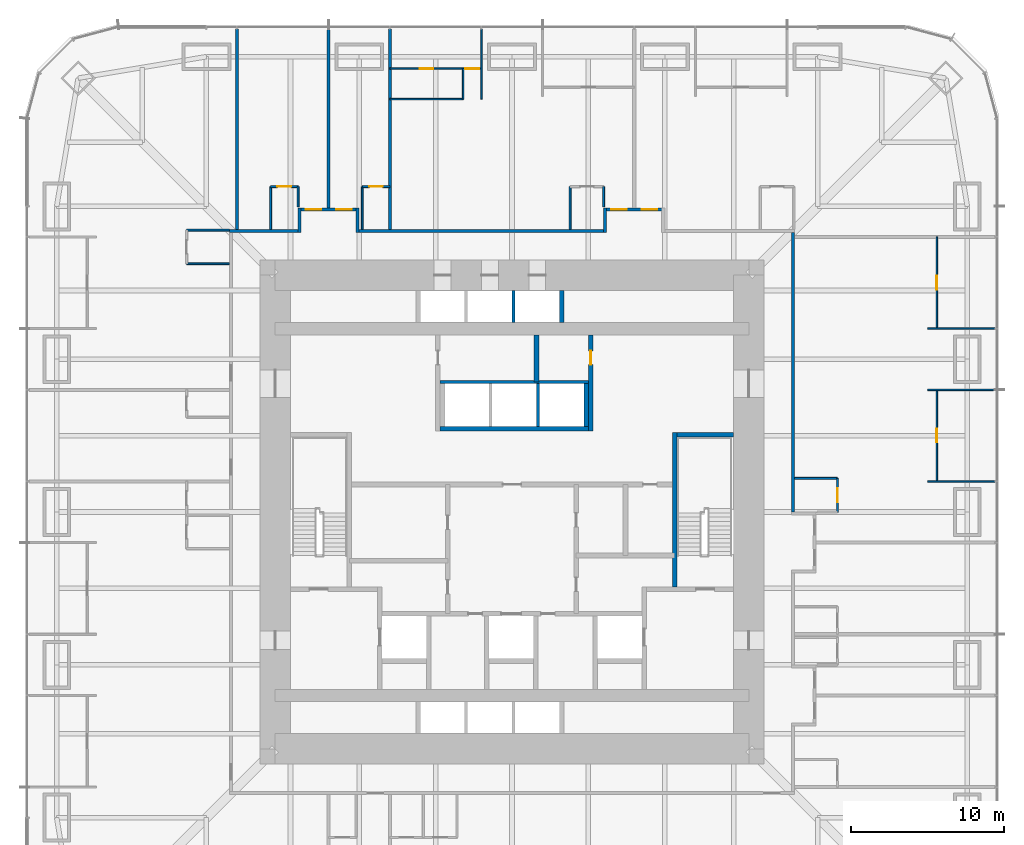
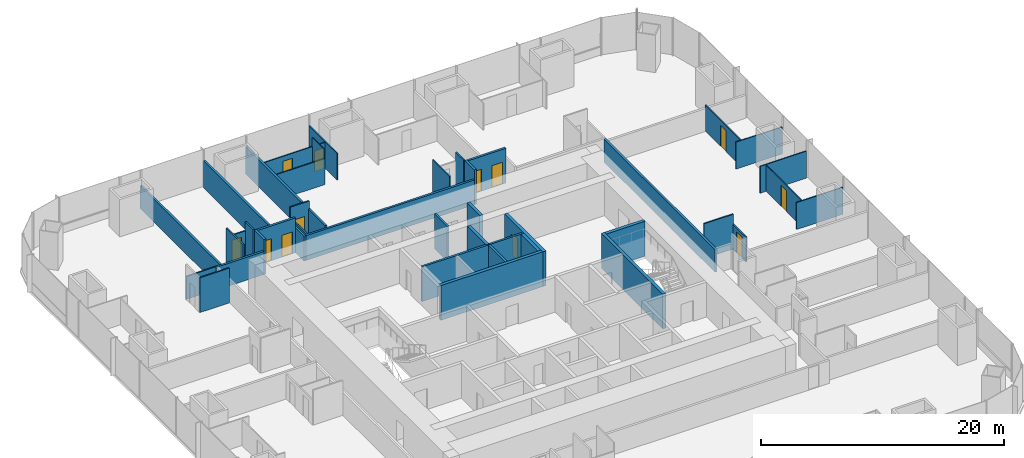
# One storey, part 15 of 17: 41 walls, 12 doors, 12 openings.
"""IFC4 building model written with IfcOpenShell, lengths in metres."""

import ifcopenshell
import ifcopenshell.guid

model = None  # the IFC model being written
_history = None  # IfcOwnerHistory: only IFC2X3 demands one
_inside = {}  # id of a spatial element -> (the spatial element, [elements in it])
_under = {}  # id of a project, library or spatial element -> (it, [spatial elements below it])
_declared = {}  # id of a project -> (the project, [libraries it declares])
_typed = {}  # id of a type object -> (the type object, [elements of that type])
_made_of = {}  # id of a material, layer set ... -> (it, [elements and type objects made of it])


def new_model(schema):
    """Start an empty IFC model of exactly this schema.

    Asked for "IFC4X3", IfcOpenShell would pick the latest addendum, in which some entities
    have other attributes; the version numbers below select the first issue.
    IFC2X3 requires an IfcOwnerHistory on every rooted entity: one is made here for all.
    """
    global model, _history
    if schema == "IFC4X3":
        model = ifcopenshell.file(schema_version=(4, 3, 0, 0))
    else:
        model = ifcopenshell.file(schema=schema)
    _inside.clear()
    _under.clear()
    _declared.clear()
    _typed.clear()
    _made_of.clear()
    _history = None
    if model.schema == "IFC2X3":
        org = make("IfcOrganization", Name="unknown")
        user = make(
            "IfcPersonAndOrganization",
            ThePerson=make("IfcPerson", FamilyName="unknown"),
            TheOrganization=org,
        )
        app = make(
            "IfcApplication",
            ApplicationDeveloper=org,
            Version="unknown",
            ApplicationFullName="unknown",
            ApplicationIdentifier="unknown",
        )
        _history = make(
            "IfcOwnerHistory",
            OwningUser=user,
            OwningApplication=app,
            ChangeAction="ADDED",
            CreationDate=0,
        )
    return model


def make(cls, **values):
    """One entity of the class cls with the attributes given. An attribute that is None is left unset."""
    return model.create_entity(
        cls, **{name: value for name, value in values.items() if value is not None}
    )


def rooted(cls, **values):
    """An entity with a GlobalId (a new one), such as an element, a storey or a relation."""
    return make(cls, GlobalId=ifcopenshell.guid.new(), OwnerHistory=_history, **values)


def si_unit(unit_type, name, prefix=None):
    """IfcSIUnit, for example si_unit("LENGTHUNIT", "METRE", prefix="MILLI")."""
    return make("IfcSIUnit", UnitType=unit_type, Prefix=prefix, Name=name)


def assignment(units):
    """IfcUnitAssignment: the units of a project."""
    return None if units is None else make("IfcUnitAssignment", Units=units)


def point(xyz):
    """IfcCartesianPoint."""
    return None if xyz is None else make("IfcCartesianPoint", Coordinates=xyz)


def direction(xyz):
    """IfcDirection."""
    return None if xyz is None else make("IfcDirection", DirectionRatios=xyz)


def frame(location, z_axis=None, x_axis=None):
    """IfcAxis2Placement3D, a coordinate frame: its origin and axes. An axis left out is left unset."""
    return make(
        "IfcAxis2Placement3D",
        Location=point(location),
        Axis=direction(z_axis),
        RefDirection=direction(x_axis),
    )


def frame_2d(location, x_axis=None):
    """IfcAxis2Placement2D, a coordinate frame in the plane: its origin and x axis."""
    return make(
        "IfcAxis2Placement2D", Location=point(location), RefDirection=direction(x_axis)
    )


def origin():
    """The frame at (0, 0, 0) with its axes left unset."""
    return frame((0.0, 0.0, 0.0))


def place(relative_to, where):
    """IfcLocalPlacement: puts the frame where relative to a parent placement (None: the world)."""
    return make(
        "IfcLocalPlacement", PlacementRelTo=relative_to, RelativePlacement=where
    )


def context(
    kind, dimensions, precision=None, world=None, true_north=None, identifier=None
):
    """IfcGeometricRepresentationContext, for example the 3D "Model" context."""
    return make(
        "IfcGeometricRepresentationContext",
        ContextIdentifier=identifier,
        ContextType=kind,
        CoordinateSpaceDimension=dimensions,
        Precision=precision,
        WorldCoordinateSystem=world,
        TrueNorth=true_north,
    )


def subcontext(parent, identifier, kind, view, scale=None):
    """IfcGeometricRepresentationSubContext, for example "Body" below "Model"."""
    return make(
        "IfcGeometricRepresentationSubContext",
        ContextIdentifier=identifier,
        ContextType=kind,
        ParentContext=parent,
        TargetScale=scale,
        TargetView=view,
    )


def project(units=None, contexts=None):
    """IfcProject with its units and contexts."""
    return rooted(
        "IfcProject",
        Name="project",
        RepresentationContexts=contexts,
        UnitsInContext=assignment(units),
    )


def spatial(cls, under=None, at=None, **own):
    """A site, building, storey or space (cls), placed at a placement, below another one or the project."""
    s = rooted(cls, ObjectPlacement=at, **own)
    if under is not None:
        _under.setdefault(under.id(), (under, []))[1].append(s)
    return s


def profile(cls, at=None, kind="AREA", **sizes):
    """A parametric profile (cls). Its sizes go by their IFC names, for example OverallWidth=200.0."""
    return make(cls, ProfileType=kind, Position=at, **sizes)


def rectangle(**sizes):
    """IfcRectangleProfileDef."""
    return profile("IfcRectangleProfileDef", **sizes)


def extrude(swept, where, along, depth):
    """IfcExtrudedAreaSolid: the profile swept, set in the frame where, extruded along a direction by depth."""
    return make(
        "IfcExtrudedAreaSolid",
        SweptArea=swept,
        Position=where,
        ExtrudedDirection=direction(along),
        Depth=depth,
    )


def shape(context_of_items, identifier, shape_type, items):
    """IfcShapeRepresentation: the items that make up one representation, for example the "Body"."""
    return make(
        "IfcShapeRepresentation",
        ContextOfItems=context_of_items,
        RepresentationIdentifier=identifier,
        RepresentationType=shape_type,
        Items=items,
    )


def material(Name=None, Category=None):
    """IfcMaterial."""
    return make("IfcMaterial", Name=Name, Category=Category)


def layer(
    of_material, thickness, ventilated=None, Name=None, Category=None, Priority=None
):
    """IfcMaterialLayer: one layer of a wall or slab, of a material (None: an air gap)."""
    return make(
        "IfcMaterialLayer",
        Material=of_material,
        LayerThickness=thickness,
        IsVentilated=ventilated,
        Name=Name,
        Category=Category,
        Priority=Priority,
    )


def layer_set(layers, Name=None):
    """IfcMaterialLayerSet."""
    return make("IfcMaterialLayerSet", MaterialLayers=layers, LayerSetName=Name)


def made_of(thing, what):
    """Note that an element or type object is made of a material, layer set ...; save() writes the relation."""
    if what is not None:
        _made_of.setdefault(what.id(), (what, []))[1].append(thing)
    return thing


def type_object(cls, material=None, **own):
    """A type object (cls), such as IfcWallType, which elements share."""
    return made_of(rooted(cls, **own), material)


def element(
    cls,
    number,
    at=None,
    inside=None,
    cuts=None,
    type_object=None,
    material=None,
    context=None,
    identifier="Body",
    shape_type=None,
    held_by="IfcProductDefinitionShape",
    body=None,
    shapes=None,
    **own,
):
    """One element of the class cls, such as IfcWall. Its Tag is "e" and its number.

    at: its placement. inside: the storey or other place that contains it. cuts: it is an
    opening in that element (IfcRelVoidsElement). A single representation is given by context,
    identifier, shape_type and body (its items); several are given by shapes. held_by: the class
    of the entity that holds the representations. save() writes the other relations.
    """
    e = rooted(cls, Tag="e%d" % number, ObjectPlacement=at, **own)
    if body is not None:
        shapes = [shape(context, identifier, shape_type, body)]
    if shapes is not None:
        e.Representation = make(held_by, Representations=shapes)
    if inside is not None:
        _inside.setdefault(inside.id(), (inside, []))[1].append(e)
    if cuts is not None:
        rooted(
            "IfcRelVoidsElement", RelatingBuildingElement=cuts, RelatedOpeningElement=e
        )
    if type_object is not None:
        _typed.setdefault(type_object.id(), (type_object, []))[1].append(e)
    return made_of(e, material)


def fill(opening, filler):
    """IfcRelFillsElement: the door or window that sits in an opening."""
    return rooted(
        "IfcRelFillsElement",
        RelatingOpeningElement=opening,
        RelatedBuildingElement=filler,
    )


def aggregate(whole, parts):
    """IfcRelAggregates: a whole, such as a stair, and the parts it consists of."""
    return rooted("IfcRelAggregates", RelatingObject=whole, RelatedObjects=parts)


def save(model, path):
    """Write the relations noted so far, then the file.

    IfcRelAggregates (storeys below a building ...), IfcRelContainedInSpatialStructure (elements
    in a storey), IfcRelDefinesByType, IfcRelAssociatesMaterial and IfcRelDeclares: one each for
    every whole, place, type object, material and project.
    """
    for whole, parts in _under.values():
        aggregate(whole, parts)
    for where, things in _inside.values():
        rooted(
            "IfcRelContainedInSpatialStructure",
            RelatedElements=things,
            RelatingStructure=where,
        )
    for kind, things in _typed.values():
        rooted("IfcRelDefinesByType", RelatedObjects=things, RelatingType=kind)
    for what, things in _made_of.values():
        rooted("IfcRelAssociatesMaterial", RelatedObjects=things, RelatingMaterial=what)
    for by, libraries in _declared.values():
        rooted("IfcRelDeclares", RelatingContext=by, RelatedDefinitions=libraries)
    model.write(path)


model = new_model("IFC4")

# Units and contexts
model_context = context("Model", 3, precision=1e-05, world=origin(), true_north=direction((0.0, 1.0)))
body_context = subcontext(model_context, "Body", "Model", "MODEL_VIEW")
ifc_project = project(units=[si_unit("LENGTHUNIT", "METRE"), si_unit("AREAUNIT", "SQUARE_METRE"), si_unit("VOLUMEUNIT", "CUBIC_METRE"), si_unit("PLANEANGLEUNIT", "RADIAN"), si_unit("MASSUNIT", "GRAM", prefix="KILO")], contexts=[model_context])

# Site, building, storey
site_placement = place(None, origin())
site = spatial("IfcSite", under=ifc_project, at=site_placement, CompositionType="ELEMENT")
building_placement = place(site_placement, origin())
building = spatial("IfcBuilding", under=site, at=building_placement, Name="Khuree Lantern Residences", CompositionType="ELEMENT")
storey_placement = place(building_placement, frame((0.0, 0.0, 36.0)))
storey = spatial("IfcBuildingStorey", under=building, at=storey_placement, Name="L08", CompositionType="ELEMENT", Elevation=36.0)

# Wall, opening, door
ifc_material_1 = material(Name="Moisture-resistant gypsum board on steel studs", Category="steel")
ifc_layer_1 = layer(ifc_material_1, 0.125)
ifc_layer_set_1 = layer_set([ifc_layer_1], Name="BATHROOM WALL BTW125")
wall_type_1 = type_object("IfcWallType", Name="BATHROOM WALL BTW125", PredefinedType="PARTITIONING", material=ifc_layer_set_1)
wall_1_placement = place(storey_placement, frame((21.300048828125, 0.0, 0.0), z_axis=(0.0, 0.0, 1.0), x_axis=(0.0, 1.0, 0.0)))
wall_1 = element("IfcWall", 1, at=wall_1_placement, inside=storey, type_object=wall_type_1, Name="L08 BATHROOM WALL 02", PredefinedType="PARTITIONING", context=body_context, shape_type="SweptSolid", body=[
    extrude(rectangle(XDim=2.199951171875, YDim=0.125, at=frame_2d((1.10009765625, 0.0))), origin(), (0.0, 0.0, 1.0), 2.491943359375),
])
opening_1_placement = place(wall_1_placement, frame((0.64990234375, 0.0, 0.0)))
opening_1 = element("IfcOpeningElement", 2, at=opening_1_placement, cuts=wall_1, Name="Opening 08-027", PredefinedType="OPENING", context=body_context, shape_type="SweptSolid", body=[
    extrude(rectangle(XDim=0.89990234375, YDim=2.10009765625, at=frame_2d((0.449951171875, 1.050048828125))), frame((0.0, 0.072509765625, 0.0), z_axis=(0.0, -1.0, 0.0), x_axis=(1.0, 0.0, 0.0)), (0.0, 0.0, 1.0), 0.14501953125),
])
ifc_material_2 = material(Name="Timber door leaf in hardwood frame", Category="wood")
door_type_1 = type_object("IfcDoorType", Name="BATHROOM DOOR 900X2100", OperationType="SINGLE_SWING_LEFT", PredefinedType="DOOR", material=ifc_material_2)
door_1_placement = place(opening_1_placement, origin())
door_1 = element("IfcDoor", 3, at=door_1_placement, inside=storey, type_object=door_type_1, Name="Bathroom door 08-027", OperationType="SINGLE_SWING_LEFT", OverallHeight=2.10009765625, OverallWidth=0.89990234375, PredefinedType="DOOR", context=body_context, shape_type="SweptSolid", body=[
    extrude(rectangle(XDim=0.89990234375, YDim=2.10009765625, at=frame_2d((0.449951171875, 1.050048828125))), frame((0.0, 0.02490234375, 0.0), z_axis=(0.0, -1.0, 0.0), x_axis=(1.0, 0.0, 0.0)), (0.0, 0.0, 1.0), 0.050048828125),
])
fill(opening_1, door_1)

# Walls
wall_2_placement = place(storey_placement, frame((18.5, 2.199951171875, 0.0), z_axis=(0.0, 0.0, 1.0), x_axis=(1.0, 0.0, 0.0)))
element("IfcWall", 4, at=wall_2_placement, inside=storey, type_object=wall_type_1, Name="L08 BATHROOM WALL 02", PredefinedType="PARTITIONING", context=body_context, shape_type="SweptSolid", body=[
    extrude(rectangle(XDim=2.800048828125, YDim=0.125, at=frame_2d((1.39990234375, 0.0))), origin(), (0.0, 0.0, 1.0), 3.5),
])
wall_3_placement = place(storey_placement, frame((6.0, 19.969970703125, 0.0), z_axis=(0.0, 0.0, 1.0), x_axis=(0.0, 1.0, 0.0)))
element("IfcWall", 5, at=wall_3_placement, inside=storey, type_object=wall_type_1, Name="L08 BATHROOM WALL 04", PredefinedType="PARTITIONING", context=body_context, shape_type="SweptSolid", body=[
    extrude(rectangle(XDim=1.330078125, YDim=0.125, at=frame_2d((0.6650390625, 0.0))), origin(), (0.0, 0.0, 1.0), 3.5),
])
wall_4_placement = place(storey_placement, frame((3.800048828125, 18.5, 0.0), z_axis=(0.0, 0.0, 1.0), x_axis=(0.0, 1.0, 0.0)))
element("IfcWall", 6, at=wall_4_placement, inside=storey, type_object=wall_type_1, Name="L08 BATHROOM WALL 04", PredefinedType="PARTITIONING", context=body_context, shape_type="SweptSolid", body=[
    extrude(rectangle(XDim=2.800048828125, YDim=0.125, at=frame_2d((1.39990234375, 0.0))), origin(), (0.0, 0.0, 1.0), 3.5),
])

# Wall, opening, door
wall_5_placement = place(storey_placement, frame((-8.0, 21.300048828125, 0.0), z_axis=(0.0, 0.0, 1.0), x_axis=(-1.0, 0.0, 0.0)))
wall_5 = element("IfcWall", 7, at=wall_5_placement, inside=storey, type_object=wall_type_1, Name="L08 BATHROOM WALL 05", PredefinedType="PARTITIONING", context=body_context, shape_type="SweptSolid", body=[
    extrude(rectangle(XDim=1.800048828125, YDim=0.125, at=frame_2d((0.89990234375, 0.0))), origin(), (0.0, 0.0, 1.0), 3.5),
])
opening_2_placement = place(wall_5_placement, frame((0.449951171875, 0.0, 0.0)))
opening_2 = element("IfcOpeningElement", 8, at=opening_2_placement, cuts=wall_5, Name="Opening 08-037", PredefinedType="OPENING", context=body_context, shape_type="SweptSolid", body=[
    extrude(rectangle(XDim=0.89990234375, YDim=2.10009765625, at=frame_2d((0.449951171875, 1.050048828125))), frame((0.0, 0.072509765625, 0.0), z_axis=(0.0, -1.0, 0.0), x_axis=(1.0, 0.0, 0.0)), (0.0, 0.0, 1.0), 0.14501953125),
])
door_2_placement = place(opening_2_placement, origin())
door_2 = element("IfcDoor", 9, at=door_2_placement, inside=storey, type_object=door_type_1, Name="Bathroom door 08-037", OperationType="SINGLE_SWING_LEFT", OverallHeight=2.10009765625, OverallWidth=0.89990234375, PredefinedType="DOOR", context=body_context, shape_type="SweptSolid", body=[
    extrude(rectangle(XDim=0.89990234375, YDim=2.10009765625, at=frame_2d((0.449951171875, 1.050048828125))), frame((0.0, 0.02490234375, 0.0), z_axis=(0.0, -1.0, 0.0), x_axis=(1.0, 0.0, 0.0)), (0.0, 0.0, 1.0), 0.050048828125),
])
fill(opening_2, door_2)

# Wall
wall_6_placement = place(storey_placement, frame((-9.800048828125, 18.5, 0.0), z_axis=(0.0, 0.0, 1.0), x_axis=(0.0, 1.0, 0.0)))
element("IfcWall", 10, at=wall_6_placement, inside=storey, type_object=wall_type_1, Name="L08 BATHROOM WALL 05", PredefinedType="PARTITIONING", context=body_context, shape_type="SweptSolid", body=[
    extrude(rectangle(XDim=2.800048828125, YDim=0.125, at=frame_2d((1.39990234375, 0.0))), origin(), (0.0, 0.0, 1.0), 2.491943359375),
])

# Wall, opening, door
wall_7_placement = place(storey_placement, frame((-14.0, 21.300048828125, 0.0), z_axis=(0.0, 0.0, 1.0), x_axis=(-1.0, 0.0, 0.0)))
wall_7 = element("IfcWall", 11, at=wall_7_placement, inside=storey, type_object=wall_type_1, Name="L08 BATHROOM WALL 06", PredefinedType="PARTITIONING", context=body_context, shape_type="SweptSolid", body=[
    extrude(rectangle(XDim=1.800048828125, YDim=0.125, at=frame_2d((0.89990234375, 0.0))), origin(), (0.0, 0.0, 1.0), 2.610107421875),
])
opening_3_placement = place(wall_7_placement, frame((0.449951171875, 0.0, 0.0)))
opening_3 = element("IfcOpeningElement", 12, at=opening_3_placement, cuts=wall_7, Name="Opening 08-039", PredefinedType="OPENING", context=body_context, shape_type="SweptSolid", body=[
    extrude(rectangle(XDim=0.89990234375, YDim=2.10009765625, at=frame_2d((0.449951171875, 1.050048828125))), frame((0.0, 0.072509765625, 0.0), z_axis=(0.0, -1.0, 0.0), x_axis=(1.0, 0.0, 0.0)), (0.0, 0.0, 1.0), 0.14501953125),
])
door_3_placement = place(opening_3_placement, origin())
door_3 = element("IfcDoor", 13, at=door_3_placement, inside=storey, type_object=door_type_1, Name="Bathroom door 08-039", OperationType="SINGLE_SWING_LEFT", OverallHeight=2.10009765625, OverallWidth=0.89990234375, PredefinedType="DOOR", context=body_context, shape_type="SweptSolid", body=[
    extrude(rectangle(XDim=0.89990234375, YDim=2.10009765625, at=frame_2d((0.449951171875, 1.050048828125))), frame((0.0, 0.02490234375, 0.0), z_axis=(0.0, -1.0, 0.0), x_axis=(1.0, 0.0, 0.0)), (0.0, 0.0, 1.0), 0.050048828125),
])
fill(opening_3, door_3)

# Walls
wall_8_placement = place(storey_placement, frame((-14.0, 19.969970703125, 0.0), z_axis=(0.0, 0.0, 1.0), x_axis=(0.0, 1.0, 0.0)))
element("IfcWall", 14, at=wall_8_placement, inside=storey, type_object=wall_type_1, Name="L08 BATHROOM WALL 06", PredefinedType="PARTITIONING", context=body_context, shape_type="SweptSolid", body=[
    extrude(rectangle(XDim=1.330078125, YDim=0.125, at=frame_2d((0.6650390625, 0.0))), origin(), (0.0, 0.0, 1.0), 3.5),
])
wall_9_placement = place(storey_placement, frame((-15.800048828125, 18.5, 0.0), z_axis=(0.0, 0.0, 1.0), x_axis=(0.0, 1.0, 0.0)))
element("IfcWall", 15, at=wall_9_placement, inside=storey, type_object=wall_type_1, Name="L08 BATHROOM WALL 06", PredefinedType="PARTITIONING", context=body_context, shape_type="SweptSolid", body=[
    extrude(rectangle(XDim=2.800048828125, YDim=0.125, at=frame_2d((1.39990234375, 0.0))), origin(), (0.0, 0.0, 1.0), 3.5),
])
wall_10_placement = place(storey_placement, frame((-18.5, 18.449951171875, 0.0), z_axis=(0.0, 0.0, 1.0), x_axis=(-1.0, 0.0, 0.0)))
element("IfcWall", 16, at=wall_10_placement, inside=storey, type_object=wall_type_1, Name="L08 BATHROOM WALL 07", PredefinedType="PARTITIONING", context=body_context, shape_type="SweptSolid", body=[
    extrude(rectangle(XDim=2.800048828125, YDim=0.125, at=frame_2d((1.39990234375, 0.0))), origin(), (0.0, 0.0, 1.0), 2.300048828125),
])
wall_11_placement = place(storey_placement, frame((-18.5, 16.25, 0.0), z_axis=(0.0, 0.0, 1.0), x_axis=(-1.0, 0.0, 0.0)))
element("IfcWall", 17, at=wall_11_placement, inside=storey, type_object=wall_type_1, Name="L08 BATHROOM WALL 07", PredefinedType="PARTITIONING", context=body_context, shape_type="SweptSolid", body=[
    extrude(rectangle(XDim=2.800048828125, YDim=0.125, at=frame_2d((1.39990234375, 0.0))), origin(), (0.0, 0.0, 1.0), 3.5),
])
ifc_material_3 = material(Name="Dense concrete blockwork", Category="masonry")
ifc_layer_2 = layer(ifc_material_3, 0.300048828125)
ifc_layer_set_2 = layer_set([ifc_layer_2], Name="CORE PARTITION WALL CPW300 EI 120")
wall_type_2 = type_object("IfcWallType", Name="CORE PARTITION WALL CPW300 EI 120", PredefinedType="PARTITIONING", material=ifc_layer_set_2)
wall_12_placement = place(storey_placement, frame((-4.699951171875, 5.449951171875, 0.0), z_axis=(0.0, 0.0, 1.0), x_axis=(1.0, 0.0, 0.0)))
element("IfcWall", 18, at=wall_12_placement, inside=storey, type_object=wall_type_2, Name="L08 CORE WALL PHS", PredefinedType="PARTITIONING", context=body_context, shape_type="SweptSolid", body=[
    extrude(rectangle(XDim=9.699951171875, YDim=0.300048828125, at=frame_2d((4.85009765625, 0.0))), origin(), (0.0, 0.0, 1.0), 3.5),
])
wall_13_placement = place(storey_placement, frame((4.85009765625, 5.60009765625, 0.0), z_axis=(0.0, 0.0, 1.0), x_axis=(0.0, 1.0, 0.0)))
element("IfcWall", 19, at=wall_13_placement, inside=storey, type_object=wall_type_2, Name="L08 CORE WALL PHE", PredefinedType="PARTITIONING", context=body_context, shape_type="SweptSolid", body=[
    extrude(rectangle(XDim=2.7998046875, YDim=0.300048828125, at=frame_2d((1.39990234375, 0.0))), origin(), (0.0, 0.0, 1.0), 3.5),
])
wall_14_placement = place(storey_placement, frame((3.25, 12.39990234375, 0.0), z_axis=(0.0, 0.0, 1.0), x_axis=(0.0, 1.0, 0.0)))
element("IfcWall", 20, at=wall_14_placement, inside=storey, type_object=wall_type_2, Name="L08 CORE WALL PLE", PredefinedType="PARTITIONING", context=body_context, shape_type="SweptSolid", body=[
    extrude(rectangle(XDim=2.10009765625, YDim=0.300048828125, at=frame_2d((1.050048828125, 0.0))), origin(), (0.0, 0.0, 1.0), 3.5),
])

# Wall, opening, door
wall_15_placement = place(storey_placement, frame((5.14990234375, 5.300048828125, 0.0), z_axis=(0.0, 0.0, 1.0), x_axis=(0.0, 1.0, 0.0)))
wall_15 = element("IfcWall", 21, at=wall_15_placement, inside=storey, type_object=wall_type_2, Name="L08 CORE WALL NE", PredefinedType="PARTITIONING", context=body_context, shape_type="SweptSolid", body=[
    extrude(rectangle(XDim=6.300048828125, YDim=0.300048828125, at=frame_2d((3.14990234375, 0.0))), origin(), (0.0, 0.0, 1.0), 3.5),
])
opening_4_placement = place(wall_15_placement, frame((4.35009765625, 0.0, 0.0)))
opening_4 = element("IfcOpeningElement", 22, at=opening_4_placement, cuts=wall_15, Name="Opening 08-022", PredefinedType="OPENING", context=body_context, shape_type="SweptSolid", body=[
    extrude(rectangle(XDim=0.89990234375, YDim=2.10009765625, at=frame_2d((0.449951171875, 1.050048828125))), frame((0.0, 0.16015625, 0.0), z_axis=(0.0, -1.0, 0.0), x_axis=(1.0, 0.0, 0.0)), (0.0, 0.0, 1.0), 0.320068359375),
])
door_type_2 = type_object("IfcDoorType", Name="DOOR 900X2100", OperationType="SINGLE_SWING_LEFT", PredefinedType="DOOR", material=ifc_material_2)
door_4_placement = place(opening_4_placement, origin())
door_4 = element("IfcDoor", 23, at=door_4_placement, inside=storey, type_object=door_type_2, Name="Comms room door 08-022", OperationType="SINGLE_SWING_LEFT", OverallHeight=2.10009765625, OverallWidth=0.89990234375, PredefinedType="DOOR", context=body_context, shape_type="SweptSolid", body=[
    extrude(rectangle(XDim=0.89990234375, YDim=2.10009765625, at=frame_2d((0.449951171875, 1.050048828125))), frame((0.0, 0.02490234375, 0.0), z_axis=(0.0, -1.0, 0.0), x_axis=(1.0, 0.0, 0.0)), (0.0, 0.0, 1.0), 0.050048828125),
])
fill(opening_4, door_4)

# Walls
wall_16_placement = place(storey_placement, frame((1.60009765625, 8.5, 0.0), z_axis=(0.0, 0.0, 1.0), x_axis=(0.0, 1.0, 0.0)))
element("IfcWall", 24, at=wall_16_placement, inside=storey, type_object=wall_type_2, Name="L08 CORE WALL NX", PredefinedType="PARTITIONING", context=body_context, shape_type="SweptSolid", body=[
    extrude(rectangle(XDim=3.10009765625, YDim=0.300048828125, at=frame_2d((1.550048828125, 0.0))), origin(), (0.0, 0.0, 1.0), 3.5),
])
ifc_material_4 = material(Name="Gypsum board on steel studs", Category="steel")
ifc_layer_3 = layer(ifc_material_4, 0.199951171875)
ifc_layer_set_3 = layer_set([ifc_layer_3], Name="CORRIDOR WALL CRW200 EI 60")
wall_type_3 = type_object("IfcWallType", Name="CORRIDOR WALL CRW200 EI 60", PredefinedType="PARTITIONING", material=ifc_layer_set_3)
wall_17_placement = place(storey_placement, frame((18.39990234375, 0.0, 0.0), z_axis=(0.0, 0.0, 1.0), x_axis=(0.0, 1.0, 0.0)))
element("IfcWall", 25, at=wall_17_placement, inside=storey, type_object=wall_type_3, Name="L08 CORRIDOR WALL EAST 3", PredefinedType="PARTITIONING", context=body_context, shape_type="SweptSolid", body=[
    extrude(rectangle(XDim=18.300048828125, YDim=0.199951171875, at=frame_2d((9.14990234375, 0.0))), origin(), (0.0, 0.0, 1.0), 2.300048828125),
])
wall_18_placement = place(storey_placement, frame((-18.5, 18.39990234375, 0.0), z_axis=(0.0, 0.0, 1.0), x_axis=(1.0, 0.0, 0.0)))
element("IfcWall", 26, at=wall_18_placement, inside=storey, type_object=wall_type_3, Name="L08 CORRIDOR WALL NORTH 1", PredefinedType="PARTITIONING", context=body_context, shape_type="SweptSolid", body=[
    extrude(rectangle(XDim=4.5, YDim=0.199951171875, at=frame_2d((2.25, 0.0))), origin(), (0.0, 0.0, 1.0), 2.300048828125),
])
wall_19_placement = place(storey_placement, frame((-13.89990234375, 18.300048828125, 0.0), z_axis=(0.0, 0.0, 1.0), x_axis=(0.0, 1.0, 0.0)))
element("IfcWall", 27, at=wall_19_placement, inside=storey, type_object=wall_type_3, Name="L08 CORRIDOR ALCOVE WALL NORTH", PredefinedType="PARTITIONING", context=body_context, shape_type="SweptSolid", body=[
    extrude(rectangle(XDim=1.599853515625, YDim=0.199951171875, at=frame_2d((0.7998046875, 0.0))), origin(), (0.0, 0.0, 1.0), 3.5),
])
wall_20_placement = place(storey_placement, frame((-10.10009765625, 18.300048828125, 0.0), z_axis=(0.0, 0.0, 1.0), x_axis=(0.0, 1.0, 0.0)))
element("IfcWall", 28, at=wall_20_placement, inside=storey, type_object=wall_type_3, Name="L08 CORRIDOR ALCOVE WALL NORTH", PredefinedType="PARTITIONING", context=body_context, shape_type="SweptSolid", body=[
    extrude(rectangle(XDim=1.599853515625, YDim=0.199951171875, at=frame_2d((0.7998046875, 0.0))), origin(), (0.0, 0.0, 1.0), 2.491943359375),
])

# Wall, openings, doors
wall_21_placement = place(storey_placement, frame((-13.800048828125, 19.800048828125, 0.0), z_axis=(0.0, 0.0, 1.0), x_axis=(1.0, 0.0, 0.0)))
wall_21 = element("IfcWall", 29, at=wall_21_placement, inside=storey, type_object=wall_type_3, Name="L08 CORRIDOR ALCOVE WALL NORTH", PredefinedType="PARTITIONING", context=body_context, shape_type="SweptSolid", body=[
    extrude(rectangle(XDim=3.60009765625, YDim=0.199951171875, at=frame_2d((1.800048828125, 0.0))), origin(), (0.0, 0.0, 1.0), 3.5),
])
opening_5_placement = place(wall_21_placement, frame((2.300048828125, 0.0, 0.0)))
opening_5 = element("IfcOpeningElement", 30, at=opening_5_placement, cuts=wall_21, Name="Opening 08-038", PredefinedType="OPENING", context=body_context, shape_type="SweptSolid", body=[
    extrude(rectangle(XDim=1.0, YDim=2.199951171875, at=frame_2d((0.5, 1.10009765625))), frame((0.0, 0.10986328125, 0.0), z_axis=(0.0, -1.0, 0.0), x_axis=(1.0, 0.0, 0.0)), (0.0, 0.0, 1.0), 0.219970703125),
])
opening_6_placement = place(wall_21_placement, frame((0.300048828125, 0.0, 0.0)))
opening_6 = element("IfcOpeningElement", 31, at=opening_6_placement, cuts=wall_21, Name="Opening 08-040", PredefinedType="OPENING", context=body_context, shape_type="SweptSolid", body=[
    extrude(rectangle(XDim=1.0, YDim=2.199951171875, at=frame_2d((0.5, 1.10009765625))), frame((0.0, 0.10986328125, 0.0), z_axis=(0.0, -1.0, 0.0), x_axis=(1.0, 0.0, 0.0)), (0.0, 0.0, 1.0), 0.219970703125),
])
door_type_3 = type_object("IfcDoorType", Name="APARTMENT ENTRANCE DOOR 1000X2200 EI 30S", OperationType="SINGLE_SWING_LEFT", PredefinedType="DOOR", material=ifc_material_2)
door_5_placement = place(opening_5_placement, origin())
door_5 = element("IfcDoor", 32, at=door_5_placement, inside=storey, type_object=door_type_3, Name="Apartment 05 entrance door 08-038", OperationType="SINGLE_SWING_LEFT", OverallHeight=2.199951171875, OverallWidth=1.0, PredefinedType="DOOR", context=body_context, shape_type="SweptSolid", body=[
    extrude(rectangle(XDim=1.0, YDim=2.199951171875, at=frame_2d((0.5, 1.10009765625))), frame((0.0, 0.02490234375, 0.0), z_axis=(0.0, -1.0, 0.0), x_axis=(1.0, 0.0, 0.0)), (0.0, 0.0, 1.0), 0.050048828125),
])
fill(opening_5, door_5)
door_6_placement = place(opening_6_placement, origin())
door_6 = element("IfcDoor", 33, at=door_6_placement, inside=storey, type_object=door_type_3, Name="Apartment 06 entrance door 08-040", OperationType="SINGLE_SWING_LEFT", OverallHeight=2.199951171875, OverallWidth=1.0, PredefinedType="DOOR", context=body_context, shape_type="SweptSolid", body=[
    extrude(rectangle(XDim=1.0, YDim=2.199951171875, at=frame_2d((0.5, 1.10009765625))), frame((0.0, 0.02490234375, 0.0), z_axis=(0.0, -1.0, 0.0), x_axis=(1.0, 0.0, 0.0)), (0.0, 0.0, 1.0), 0.050048828125),
])
fill(opening_6, door_6)

# Walls
wall_22_placement = place(storey_placement, frame((-10.0, 18.39990234375, 0.0), z_axis=(0.0, 0.0, 1.0), x_axis=(1.0, 0.0, 0.0)))
element("IfcWall", 34, at=wall_22_placement, inside=storey, type_object=wall_type_3, Name="L08 CORRIDOR WALL NORTH 2", PredefinedType="PARTITIONING", context=body_context, shape_type="SweptSolid", body=[
    extrude(rectangle(XDim=16.0, YDim=0.199951171875, at=frame_2d((8.0, 0.0))), origin(), (0.0, 0.0, 1.0), 2.491943359375),
])
wall_23_placement = place(storey_placement, frame((6.10009765625, 18.300048828125, 0.0), z_axis=(0.0, 0.0, 1.0), x_axis=(0.0, 1.0, 0.0)))
element("IfcWall", 35, at=wall_23_placement, inside=storey, type_object=wall_type_3, Name="L08 CORRIDOR ALCOVE WALL NORTH", PredefinedType="PARTITIONING", context=body_context, shape_type="SweptSolid", body=[
    extrude(rectangle(XDim=1.599853515625, YDim=0.199951171875, at=frame_2d((0.7998046875, 0.0))), origin(), (0.0, 0.0, 1.0), 3.5),
])

# Wall, openings, doors
wall_24_placement = place(storey_placement, frame((6.199951171875, 19.800048828125, 0.0), z_axis=(0.0, 0.0, 1.0), x_axis=(1.0, 0.0, 0.0)))
wall_24 = element("IfcWall", 36, at=wall_24_placement, inside=storey, type_object=wall_type_3, Name="L08 CORRIDOR ALCOVE WALL NORTH", PredefinedType="PARTITIONING", context=body_context, shape_type="SweptSolid", body=[
    extrude(rectangle(XDim=3.60009765625, YDim=0.199951171875, at=frame_2d((1.800048828125, 0.0))), origin(), (0.0, 0.0, 1.0), 3.5),
])
opening_7_placement = place(wall_24_placement, frame((2.300048828125, 0.0, 0.0)))
opening_7 = element("IfcOpeningElement", 37, at=opening_7_placement, cuts=wall_24, Name="Opening 08-031", PredefinedType="OPENING", context=body_context, shape_type="SweptSolid", body=[
    extrude(rectangle(XDim=1.0, YDim=2.199951171875, at=frame_2d((0.5, 1.10009765625))), frame((0.0, 0.10986328125, 0.0), z_axis=(0.0, -1.0, 0.0), x_axis=(1.0, 0.0, 0.0)), (0.0, 0.0, 1.0), 0.219970703125),
])
opening_8_placement = place(wall_24_placement, frame((0.300048828125, 0.0, 0.0)))
opening_8 = element("IfcOpeningElement", 38, at=opening_8_placement, cuts=wall_24, Name="Opening 08-036", PredefinedType="OPENING", context=body_context, shape_type="SweptSolid", body=[
    extrude(rectangle(XDim=1.0, YDim=2.199951171875, at=frame_2d((0.5, 1.10009765625))), frame((0.0, 0.10986328125, 0.0), z_axis=(0.0, -1.0, 0.0), x_axis=(1.0, 0.0, 0.0)), (0.0, 0.0, 1.0), 0.219970703125),
])
door_7_placement = place(opening_7_placement, origin())
door_7 = element("IfcDoor", 39, at=door_7_placement, inside=storey, type_object=door_type_3, Name="Apartment 03 entrance door 08-031", OperationType="SINGLE_SWING_LEFT", OverallHeight=2.199951171875, OverallWidth=1.0, PredefinedType="DOOR", context=body_context, shape_type="SweptSolid", body=[
    extrude(rectangle(XDim=1.0, YDim=2.199951171875, at=frame_2d((0.5, 1.10009765625))), frame((0.0, 0.02490234375, 0.0), z_axis=(0.0, -1.0, 0.0), x_axis=(1.0, 0.0, 0.0)), (0.0, 0.0, 1.0), 0.050048828125),
])
fill(opening_7, door_7)
door_8_placement = place(opening_8_placement, origin())
door_8 = element("IfcDoor", 40, at=door_8_placement, inside=storey, type_object=door_type_3, Name="Apartment 04 entrance door 08-036", OperationType="SINGLE_SWING_LEFT", OverallHeight=2.199951171875, OverallWidth=1.0, PredefinedType="DOOR", context=body_context, shape_type="SweptSolid", body=[
    extrude(rectangle(XDim=1.0, YDim=2.199951171875, at=frame_2d((0.5, 1.10009765625))), frame((0.0, 0.02490234375, 0.0), z_axis=(0.0, -1.0, 0.0), x_axis=(1.0, 0.0, 0.0)), (0.0, 0.0, 1.0), 0.050048828125),
])
fill(opening_8, door_8)

# Walls
ifc_layer_4 = layer(ifc_material_4, 0.199951171875)
ifc_layer_set_4 = layer_set([ifc_layer_4], Name="DEMISING WALL DMW200 EI 90")
wall_type_4 = type_object("IfcWallType", Name="DEMISING WALL DMW200 EI 90", PredefinedType="PARTITIONING", material=ifc_layer_set_4)
wall_25_placement = place(storey_placement, frame((-8.0, 18.5, 0.0), z_axis=(0.0, 0.0, 1.0), x_axis=(0.0, 1.0, 0.0)))
element("IfcWall", 41, at=wall_25_placement, inside=storey, type_object=wall_type_4, Name="L08 DEMISING WALL 05", PredefinedType="PARTITIONING", context=body_context, shape_type="SweptSolid", body=[
    extrude(rectangle(XDim=13.10009765625, YDim=0.199951171875, at=frame_2d((6.550048828125, 0.0))), origin(), (0.0, 0.0, 1.0), 2.7099609375),
])
wall_26_placement = place(storey_placement, frame((-12.0, 19.89990234375, 0.0), z_axis=(0.0, 0.0, 1.0), x_axis=(0.0, 1.0, 0.0)))
element("IfcWall", 42, at=wall_26_placement, inside=storey, type_object=wall_type_4, Name="L08 DEMISING WALL 06", PredefinedType="PARTITIONING", context=body_context, shape_type="SweptSolid", body=[
    extrude(rectangle(XDim=11.7001953125, YDim=0.199951171875, at=frame_2d((5.85009765625, 0.0))), origin(), (0.0, 0.0, 1.0), 2.7099609375),
])
wall_27_placement = place(storey_placement, frame((-18.0, 18.5, 0.0), z_axis=(0.0, 0.0, 1.0), x_axis=(0.0, 1.0, 0.0)))
element("IfcWall", 43, at=wall_27_placement, inside=storey, type_object=wall_type_4, Name="L08 DEMISING WALL 07", PredefinedType="PARTITIONING", context=body_context, shape_type="SweptSolid", body=[
    extrude(rectangle(XDim=13.10009765625, YDim=0.199951171875, at=frame_2d((6.550048828125, 0.0))), origin(), (0.0, 0.0, 1.0), 2.300048828125),
])
ifc_layer_5 = layer(ifc_material_4, 0.10009765625)
ifc_layer_set_5 = layer_set([ifc_layer_5], Name="PARTITION PT100")
wall_type_5 = type_object("IfcWallType", Name="PARTITION PT100", PredefinedType="PARTITIONING", material=ifc_layer_set_5)
for number, where, z_axis, x_axis, name in (
    (44, (27.199951171875, 2.0, 0.0), (0.0, 0.0, 1.0), (1.0, 0.0, 0.0), "L08 PARTITION 02"),
    (45, (27.199951171875, 8.0, 0.0), (0.0, 0.0, 1.0), (1.0, 0.0, 0.0), "L08 PARTITION 02"),
    (46, (27.199951171875, 12.0, 0.0), (0.0, 0.0, 1.0), (1.0, 0.0, 0.0), "L08 PARTITION 02"),
):
    element("IfcWall", number, at=place(storey_placement, frame(where, z_axis=z_axis, x_axis=x_axis)), inside=storey, type_object=wall_type_5, Name=name, PredefinedType="PARTITIONING", context=body_context, shape_type="SweptSolid", body=[
        extrude(rectangle(XDim=4.400146484375, YDim=0.10009765625, at=frame_2d((2.2001953125, 0.0))), origin(), (0.0, 0.0, 1.0), 2.7099609375),
    ])
wall_28_placement = place(storey_placement, frame((-2.0, 27.0166015625, 0.0), z_axis=(0.0, 0.0, 1.0), x_axis=(0.0, 1.0, 0.0)))
element("IfcWall", 47, at=wall_28_placement, inside=storey, type_object=wall_type_5, Name="L08 PARTITION 04", PredefinedType="PARTITIONING", context=body_context, shape_type="SweptSolid", body=[
    extrude(rectangle(XDim=4.58349609375, YDim=0.10009765625, at=frame_2d((2.291748046875, 0.0))), origin(), (0.0, 0.0, 1.0), 2.7099609375),
])

# Wall, opening, door
wall_29_placement = place(storey_placement, frame((27.800048828125, 2.0, 0.0), z_axis=(0.0, 0.0, 1.0), x_axis=(0.0, 1.0, 0.0)))
wall_29 = element("IfcWall", 48, at=wall_29_placement, inside=storey, type_object=wall_type_5, Name="L08 PARTITION 02", PredefinedType="PARTITIONING", context=body_context, shape_type="SweptSolid", body=[
    extrude(rectangle(XDim=6.0, YDim=0.10009765625, at=frame_2d((3.0, 0.0))), origin(), (0.0, 0.0, 1.0), 2.610107421875),
])
opening_9_placement = place(wall_29_placement, frame((2.550048828125, 0.0, 0.0)))
opening_9 = element("IfcOpeningElement", 49, at=opening_9_placement, cuts=wall_29, Name="Opening 08-025", PredefinedType="OPENING", context=body_context, shape_type="SweptSolid", body=[
    extrude(rectangle(XDim=0.89990234375, YDim=2.10009765625, at=frame_2d((0.449951171875, 1.050048828125))), frame((0.0, 0.06005859375, 0.0), z_axis=(0.0, -1.0, 0.0), x_axis=(1.0, 0.0, 0.0)), (0.0, 0.0, 1.0), 0.1201171875),
])
door_type_4 = type_object("IfcDoorType", Name="BEDROOM DOOR 900X2100", OperationType="SINGLE_SWING_LEFT", PredefinedType="DOOR", material=ifc_material_2)
door_9_placement = place(opening_9_placement, origin())
door_9 = element("IfcDoor", 50, at=door_9_placement, inside=storey, type_object=door_type_4, Name="Bedroom door 08-025", OperationType="SINGLE_SWING_LEFT", OverallHeight=2.10009765625, OverallWidth=0.89990234375, PredefinedType="DOOR", context=body_context, shape_type="SweptSolid", body=[
    extrude(rectangle(XDim=0.89990234375, YDim=2.10009765625, at=frame_2d((0.449951171875, 1.050048828125))), frame((0.0, 0.02490234375, 0.0), z_axis=(0.0, -1.0, 0.0), x_axis=(1.0, 0.0, 0.0)), (0.0, 0.0, 1.0), 0.050048828125),
])
fill(opening_9, door_9)

wall_30_placement = place(storey_placement, frame((27.800048828125, 12.0, 0.0), z_axis=(0.0, 0.0, 1.0), x_axis=(0.0, 1.0, 0.0)))
wall_30 = element("IfcWall", 51, at=wall_30_placement, inside=storey, type_object=wall_type_5, Name="L08 PARTITION 02", PredefinedType="PARTITIONING", context=body_context, shape_type="SweptSolid", body=[
    extrude(rectangle(XDim=6.0, YDim=0.10009765625, at=frame_2d((3.0, 0.0))), origin(), (0.0, 0.0, 1.0), 2.610107421875),
])
opening_10_placement = place(wall_30_placement, frame((2.550048828125, 0.0, 0.0)))
opening_10 = element("IfcOpeningElement", 52, at=opening_10_placement, cuts=wall_30, Name="Opening 08-026", PredefinedType="OPENING", context=body_context, shape_type="SweptSolid", body=[
    extrude(rectangle(XDim=0.89990234375, YDim=2.10009765625, at=frame_2d((0.449951171875, 1.050048828125))), frame((0.0, 0.06005859375, 0.0), z_axis=(0.0, -1.0, 0.0), x_axis=(1.0, 0.0, 0.0)), (0.0, 0.0, 1.0), 0.1201171875),
])
door_type_5 = type_object("IfcDoorType", Name="BEDROOM DOOR 900X2100 RIGHT HAND", OperationType="SINGLE_SWING_RIGHT", PredefinedType="DOOR", material=ifc_material_2)
door_10_placement = place(opening_10_placement, origin())
door_10 = element("IfcDoor", 53, at=door_10_placement, inside=storey, type_object=door_type_5, Name="Bedroom door 08-026", OperationType="SINGLE_SWING_RIGHT", OverallHeight=2.10009765625, OverallWidth=0.89990234375, PredefinedType="DOOR", context=body_context, shape_type="SweptSolid", body=[
    extrude(rectangle(XDim=0.89990234375, YDim=2.10009765625, at=frame_2d((0.449951171875, 1.050048828125))), frame((0.0, 0.02490234375, 0.0), z_axis=(0.0, -1.0, 0.0), x_axis=(1.0, 0.0, 0.0)), (0.0, 0.0, 1.0), 0.050048828125),
])
fill(opening_10, door_10)

# Wall, openings, doors
wall_31_placement = place(storey_placement, frame((-2.0, 29.0166015625, 0.0), z_axis=(0.0, 0.0, 1.0), x_axis=(-1.0, 0.0, 0.0)))
wall_31 = element("IfcWall", 54, at=wall_31_placement, inside=storey, type_object=wall_type_5, Name="L08 PARTITION 04", PredefinedType="PARTITIONING", context=body_context, shape_type="SweptSolid", body=[
    extrude(rectangle(XDim=6.0, YDim=0.10009765625, at=frame_2d((3.0, 0.0))), origin(), (0.0, 0.0, 1.0), 2.610107421875),
])
opening_11_placement = place(wall_31_placement, frame((0.14990234375, 0.0, 0.0)))
opening_11 = element("IfcOpeningElement", 55, at=opening_11_placement, cuts=wall_31, Name="Opening 08-033", PredefinedType="OPENING", context=body_context, shape_type="SweptSolid", body=[
    extrude(rectangle(XDim=0.89990234375, YDim=2.10009765625, at=frame_2d((0.449951171875, 1.050048828125))), frame((0.0, 0.06005859375, 0.0), z_axis=(0.0, -1.0, 0.0), x_axis=(1.0, 0.0, 0.0)), (0.0, 0.0, 1.0), 0.1201171875),
])
opening_12_placement = place(wall_31_placement, frame((3.14990234375, 0.0, 0.0)))
opening_12 = element("IfcOpeningElement", 56, at=opening_12_placement, cuts=wall_31, Name="Opening 08-034", PredefinedType="OPENING", context=body_context, shape_type="SweptSolid", body=[
    extrude(rectangle(XDim=0.89990234375, YDim=2.10009765625, at=frame_2d((0.449951171875, 1.050048828125))), frame((0.0, 0.06005859375, 0.0), z_axis=(0.0, -1.0, 0.0), x_axis=(1.0, 0.0, 0.0)), (0.0, 0.0, 1.0), 0.1201171875),
])
door_11_placement = place(opening_11_placement, origin())
door_11 = element("IfcDoor", 57, at=door_11_placement, inside=storey, type_object=door_type_4, Name="Bedroom door 08-033", OperationType="SINGLE_SWING_LEFT", OverallHeight=2.10009765625, OverallWidth=0.89990234375, PredefinedType="DOOR", context=body_context, shape_type="SweptSolid", body=[
    extrude(rectangle(XDim=0.89990234375, YDim=2.10009765625, at=frame_2d((0.449951171875, 1.050048828125))), frame((0.0, 0.02490234375, 0.0), z_axis=(0.0, -1.0, 0.0), x_axis=(1.0, 0.0, 0.0)), (0.0, 0.0, 1.0), 0.050048828125),
])
fill(opening_11, door_11)
door_12_placement = place(opening_12_placement, origin())
door_12 = element("IfcDoor", 58, at=door_12_placement, inside=storey, type_object=door_type_2, Name="Wardrobe door 08-034", OperationType="SINGLE_SWING_LEFT", OverallHeight=2.10009765625, OverallWidth=0.89990234375, PredefinedType="DOOR", context=body_context, shape_type="SweptSolid", body=[
    extrude(rectangle(XDim=0.89990234375, YDim=2.10009765625, at=frame_2d((0.449951171875, 1.050048828125))), frame((0.0, 0.02490234375, 0.0), z_axis=(0.0, -1.0, 0.0), x_axis=(1.0, 0.0, 0.0)), (0.0, 0.0, 1.0), 0.050048828125),
])
fill(opening_12, door_12)

# Walls
wall_32_placement = place(storey_placement, frame((-3.199951171875, 27.0166015625, 0.0), z_axis=(0.0, 0.0, 1.0), x_axis=(0.0, 1.0, 0.0)))
element("IfcWall", 59, at=wall_32_placement, inside=storey, type_object=wall_type_5, Name="L08 PARTITION 04", PredefinedType="PARTITIONING", context=body_context, shape_type="SweptSolid", body=[
    extrude(rectangle(XDim=2.0, YDim=0.10009765625, at=frame_2d((1.0, 0.0))), origin(), (0.0, 0.0, 1.0), 3.5),
])
wall_33_placement = place(storey_placement, frame((-3.199951171875, 27.0166015625, 0.0), z_axis=(0.0, 0.0, 1.0), x_axis=(-1.0, 0.0, 0.0)))
element("IfcWall", 60, at=wall_33_placement, inside=storey, type_object=wall_type_5, Name="L08 PARTITION 04", PredefinedType="PARTITIONING", context=body_context, shape_type="SweptSolid", body=[
    extrude(rectangle(XDim=4.800048828125, YDim=0.10009765625, at=frame_2d((2.39990234375, 0.0))), origin(), (0.0, 0.0, 1.0), 2.610107421875),
])
ifc_layer_6 = layer(ifc_material_3, 0.199951171875)
ifc_layer_set_6 = layer_set([ifc_layer_6], Name="SHAFT WALL SHW200 EI 120")
wall_type_6 = type_object("IfcWallType", Name="SHAFT WALL SHW200 EI 120", PredefinedType="PARTITIONING", material=ifc_layer_set_6)
wall_34_placement = place(storey_placement, frame((-4.699951171875, 8.5, 0.0), z_axis=(0.0, 0.0, 1.0), x_axis=(1.0, 0.0, 0.0)))
element("IfcWall", 61, at=wall_34_placement, inside=storey, type_object=wall_type_6, Name="L08 CORE WALL PHN", PredefinedType="PARTITIONING", context=body_context, shape_type="SweptSolid", body=[
    extrude(rectangle(XDim=9.699951171875, YDim=0.199951171875, at=frame_2d((4.85009765625, 0.0))), origin(), (0.0, 0.0, 1.0), 3.5),
])
wall_35_placement = place(storey_placement, frame((1.699951171875, 5.60009765625, 0.0), z_axis=(0.0, 0.0, 1.0), x_axis=(0.0, 1.0, 0.0)))
element("IfcWall", 62, at=wall_35_placement, inside=storey, type_object=wall_type_6, Name="L08 CORE WALL PHD2", PredefinedType="PARTITIONING", context=body_context, shape_type="SweptSolid", body=[
    extrude(rectangle(XDim=2.7998046875, YDim=0.199951171875, at=frame_2d((1.39990234375, 0.0))), origin(), (0.0, 0.0, 1.0), 3.5),
])
wall_36_placement = place(storey_placement, frame((0.10009765625, 12.39990234375, 0.0), z_axis=(0.0, 0.0, 1.0), x_axis=(0.0, 1.0, 0.0)))
element("IfcWall", 63, at=wall_36_placement, inside=storey, type_object=wall_type_6, Name="L08 CORE WALL PLD2", PredefinedType="PARTITIONING", context=body_context, shape_type="SweptSolid", body=[
    extrude(rectangle(XDim=2.10009765625, YDim=0.199951171875, at=frame_2d((1.050048828125, 0.0))), origin(), (0.0, 0.0, 1.0), 3.5),
])
ifc_material_5 = material(Name="Concrete C50/60", Category="concrete")
ifc_layer_7 = layer(ifc_material_5, 0.300048828125)
ifc_layer_set_7 = layer_set([ifc_layer_7], Name="STAIR WALL SRW300 C50/60 REI 240")
wall_type_7 = type_object("IfcWallType", Name="STAIR WALL SRW300 C50/60 REI 240", PredefinedType="SOLIDWALL", material=ifc_layer_set_7)
wall_37_placement = place(storey_placement, frame((10.64990234375, -4.89990234375, 0.0), z_axis=(0.0, 0.0, 1.0), x_axis=(0.0, 1.0, 0.0)))
element("IfcWall", 64, at=wall_37_placement, inside=storey, type_object=wall_type_7, Name="L08 STAIR WALL ST2E", PredefinedType="SOLIDWALL", context=body_context, shape_type="SweptSolid", body=[
    extrude(rectangle(XDim=10.099853515625, YDim=0.300048828125, at=frame_2d((5.0498046875, 0.0))), origin(), (0.0, 0.0, 1.0), 3.5),
])
wall_38_placement = place(storey_placement, frame((14.5, 5.050048828125, 0.0), z_axis=(0.0, 0.0, 1.0), x_axis=(-1.0, 0.0, 0.0)))
element("IfcWall", 65, at=wall_38_placement, inside=storey, type_object=wall_type_7, Name="L08 STAIR WALL ST2N", PredefinedType="SOLIDWALL", context=body_context, shape_type="SweptSolid", body=[
    extrude(rectangle(XDim=3.699951171875, YDim=0.300048828125, at=frame_2d((1.85009765625, 0.0))), origin(), (0.0, 0.0, 1.0), 3.5),
])

save(model, "model.ifc")
